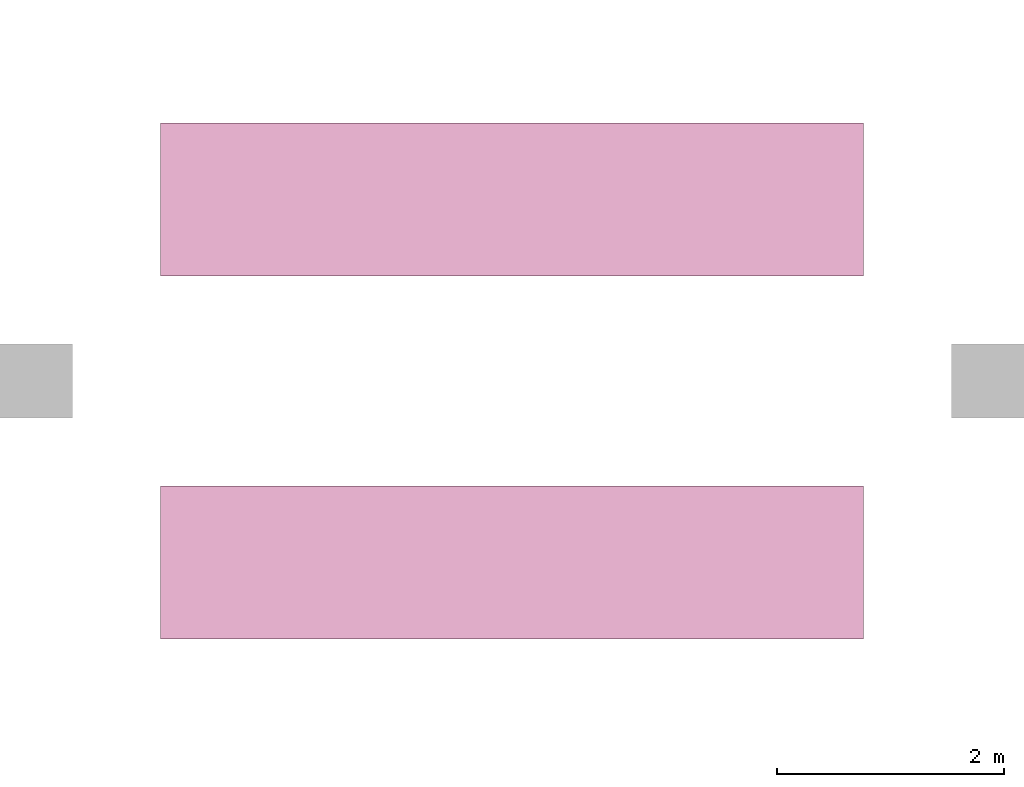
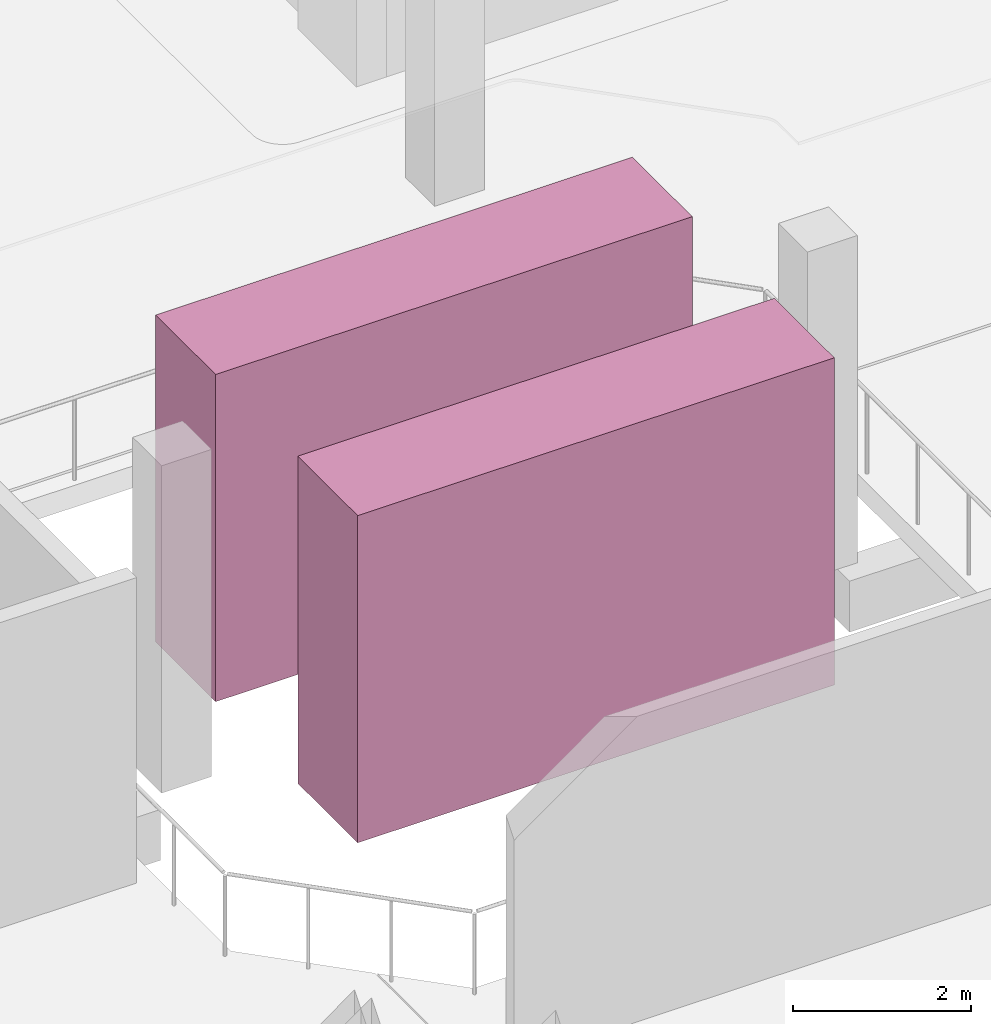
# One storey, part 22 of 22: 2 transport elements.
"""IFC4 building model written with IfcOpenShell, lengths in metres."""

from ifc_helpers import new_model, si_unit, direction, frame, origin, origin_2d, place, context, subcontext, project, spatial, rectangle, extrude, material, type_object, element, save


model = new_model("IFC4")

# Units and contexts
model_context = context("Model", 3, precision=1e-05, world=origin(), true_north=direction((0.0, 1.0)))
body_context = subcontext(model_context, "Body", "Model", "MODEL_VIEW")
ifc_project = project(units=[si_unit("LENGTHUNIT", "METRE"), si_unit("AREAUNIT", "SQUARE_METRE"), si_unit("VOLUMEUNIT", "CUBIC_METRE"), si_unit("PLANEANGLEUNIT", "RADIAN"), si_unit("MASSUNIT", "GRAM", prefix="KILO")], contexts=[model_context])

# Site, building, storey
site_placement = place(None, origin())
site = spatial("IfcSite", under=ifc_project, at=site_placement, CompositionType="ELEMENT")
building_placement = place(site_placement, origin())
building = spatial("IfcBuilding", under=site, at=building_placement, Name="Xazarin Passage Department Store", CompositionType="ELEMENT")
storey_placement = place(building_placement, frame((0.0, 0.0, 27.89990234375)))
storey = spatial("IfcBuildingStorey", under=building, at=storey_placement, Name="L06", CompositionType="ELEMENT", Elevation=27.89990234375)

# Transport elements
ifc_material = material(Name="Steel S355", Category="steel")
transport_element_type = type_object("IfcTransportElementType", Name="ARC-TR-ESC1000", PredefinedType="ESCALATOR", material=ifc_material)
for number, where, z_axis, x_axis, name in (
    (1, (21.0, 91.60009765625, 0.0), (0.0, 0.0, 1.0), (1.0, 0.0, 0.0), "L06 Escalator ES13"),
    (2, (21.0, 94.800048828125, 0.0), (0.0, 0.0, 1.0), (1.0, 0.0, 0.0), "L06 Escalator ES14"),
):
    element("IfcTransportElement", number, at=place(storey_placement, frame(where, z_axis=z_axis, x_axis=x_axis)), inside=storey, type_object=transport_element_type, Name=name, PredefinedType="ESCALATOR", context=body_context, shape_type="SweptSolid", body=[
        extrude(rectangle(XDim=6.199951171875, YDim=1.35009765625, at=origin_2d()), origin(), (0.0, 0.0, 1.0), 4.5),
    ])

save(model, "model.ifc")
